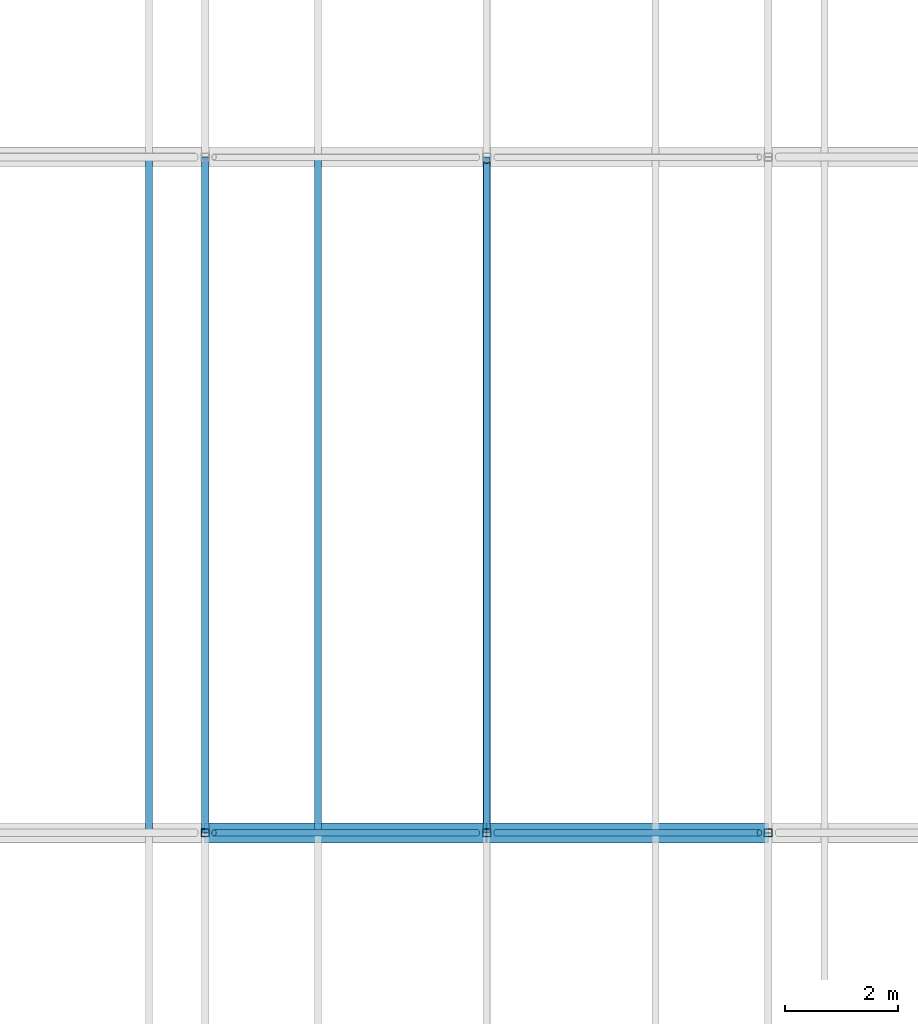
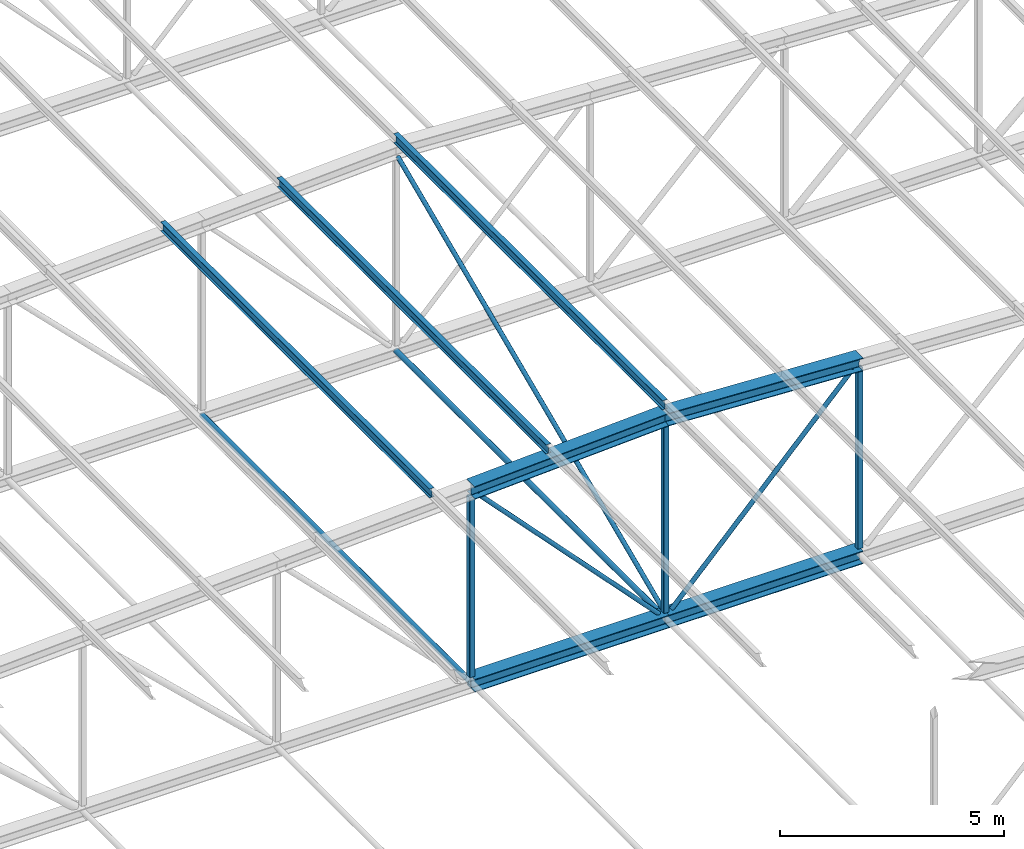
# One storey, part 57 of 156: 15 members.
"""IFC4 building model written with IfcOpenShell, lengths in metres."""

from ifc_helpers import new_model, si_unit, direction, frame, origin, origin_2d, place, context, subcontext, project, spatial, hollow_rectangle, hollow_circle, i_section, extrude, material, material_profile, profile_set, type_object, element, save


model = new_model("IFC4")

# Units and contexts
model_context = context("Model", 3, precision=1e-05, world=origin(), true_north=direction((0.0, 1.0)))
body_context = subcontext(model_context, "Body", "Model", "MODEL_VIEW")
ifc_project = project(units=[si_unit("LENGTHUNIT", "METRE"), si_unit("AREAUNIT", "SQUARE_METRE"), si_unit("VOLUMEUNIT", "CUBIC_METRE"), si_unit("PLANEANGLEUNIT", "RADIAN"), si_unit("MASSUNIT", "GRAM", prefix="KILO")], contexts=[model_context])

# Site, building, storey
site_placement = place(None, origin())
site = spatial("IfcSite", under=ifc_project, at=site_placement, CompositionType="ELEMENT")
building_placement = place(site_placement, origin())
building = spatial("IfcBuilding", under=site, at=building_placement, Name="Lilac Gate Convention Centre", CompositionType="ELEMENT")
storey_placement = place(building_placement, frame((0.0, 0.0, 17.0)))
storey = spatial("IfcBuildingStorey", under=building, at=storey_placement, Name="L03", CompositionType="ELEMENT", Elevation=17.0)

# Members
ifc_material = material(Name="Steel Q355B", Category="steel")
ifc_material_profile_1 = material_profile(ifc_material, hollow_circle(Radius=0.06982421875, WallThickness=0.0048828125, at=origin_2d()), Name="CHS139.7x5")
ifc_profile_set_1 = profile_set([ifc_material_profile_1], Name="Steel Q355B")
member_type_1 = type_object("IfcMemberType", Name="Bottom chord tie CHS139.7x5", PredefinedType="STRUT", material=ifc_profile_set_1)
for number, where, z_axis, x_axis, name in (
    (1, (55.0, 102.009521484375, 0.0), (0.0, 1.0, 0.0), (-1.0, 0.0, 0.0), "ST1 tie bay 7 node 6"),
    (2, (60.0, 102.009521484375, 0.0), (0.0, 1.0, 0.0), (-1.0, 0.0, 0.0), "ST1 tie bay 7 node 7"),
):
    element("IfcMember", number, at=place(storey_placement, frame(where, z_axis=z_axis, x_axis=x_axis)), inside=storey, type_object=member_type_1, Name=name, PredefinedType="STRUT", context=body_context, shape_type="SweptSolid", body=[
        extrude(hollow_circle(Radius=0.06982421875, WallThickness=0.0048828125, at=origin_2d()), origin(), (0.0, 0.0, 1.0), 11.98095703125),
    ])
ifc_material_profile_2 = material_profile(ifc_material, i_section(OverallWidth=0.125, OverallDepth=0.25, WebThickness=0.006103515625, FlangeThickness=0.009033203125, FilletRadius=0.008056640625, at=origin_2d()), Name="HN250x125x6x9")
ifc_profile_set_2 = profile_set([ifc_material_profile_2], Name="Steel Q355B")
member_type_2 = type_object("IfcMemberType", Name="Roof purlin HN250x125x6x9", PredefinedType="PURLIN", material=ifc_profile_set_2)
for number, where, z_axis, x_axis, name in (
    (3, (54.0, 102.0, 5.500244140625), (0.0, 1.0, 0.0), (-1.0, 0.0, 0.0), "PU2 purlin bay 7 line 9"),
    (4, (57.0, 102.0, 5.650146484375), (0.0, 1.0, 0.0), (-1.0, 0.0, 0.0), "PU2 purlin bay 7 line 10"),
    (5, (60.0, 102.0, 5.80029296875), (0.0, 1.0, 0.0), (-1.0, 0.0, 0.0), "PU2 purlin bay 7 line 11"),
):
    element("IfcMember", number, at=place(storey_placement, frame(where, z_axis=z_axis, x_axis=x_axis)), inside=storey, type_object=member_type_2, Name=name, PredefinedType="PURLIN", context=body_context, shape_type="SweptSolid", body=[
        extrude(i_section(OverallWidth=0.125, OverallDepth=0.25, WebThickness=0.006103515625, FlangeThickness=0.009033203125, FilletRadius=0.008056640625, at=origin_2d()), origin(), (0.0, 0.0, 1.0), 12.0),
    ])
ifc_material_profile_3 = material_profile(ifc_material, i_section(OverallWidth=0.35693359375, OverallDepth=0.35009765625, WebThickness=0.01904296875, FlangeThickness=0.01904296875, FilletRadius=0.012939453125, at=origin_2d()), Name="HW350x357x19x19")
ifc_profile_set_3 = profile_set([ifc_material_profile_3], Name="Steel Q355B")
member_type_3 = type_object("IfcMemberType", Name="Truss bottom chord HW350x357x19x19", PredefinedType="CHORD", material=ifc_profile_set_3)
for number, where, z_axis, x_axis, name in (
    (6, (55.0, 102.0, 0.0), (1.0, 0.0, 0.0), (0.0, 1.0, 0.0), "TB3 truss 7 bottom chord 6"),
    (7, (60.0, 102.0, 0.0), (1.0, 0.0, 0.0), (0.0, 1.0, 0.0), "TB3 truss 7 bottom chord 7"),
):
    element("IfcMember", number, at=place(storey_placement, frame(where, z_axis=z_axis, x_axis=x_axis)), inside=storey, type_object=member_type_3, Name=name, PredefinedType="CHORD", context=body_context, shape_type="SweptSolid", body=[
        extrude(i_section(OverallWidth=0.35693359375, OverallDepth=0.35009765625, WebThickness=0.01904296875, FlangeThickness=0.01904296875, FilletRadius=0.012939453125, at=origin_2d()), origin(), (0.0, 0.0, 1.0), 5.0),
    ])
ifc_material_profile_4 = material_profile(ifc_material, hollow_circle(Radius=0.05712890625, WallThickness=0.0048828125, at=origin_2d()), Name="CHS114.3x5")
ifc_profile_set_4 = profile_set([ifc_material_profile_4], Name="Steel Q355B")
member_type_4 = type_object("IfcMemberType", Name="Truss diagonal CHS114.3x5", PredefinedType="BRACE", material=ifc_profile_set_4)
for number, where, z_axis, x_axis, name in (
    (8, (55.156494140625, 102.0, 5.085693359375), (0.6896515765, 0.0, -0.724141355697), (0.0, 1.0, 0.0), "TW6 truss 7 diagonal 6"),
    (9, (64.843505859375, 102.0, 5.085693359375), (-0.6896515765, 0.0, -0.724141355697), (0.0, -1.0, 0.0), "TW6 truss 7 diagonal 7"),
):
    element("IfcMember", number, at=place(storey_placement, frame(where, z_axis=z_axis, x_axis=x_axis)), inside=storey, type_object=member_type_4, Name=name, PredefinedType="BRACE", context=body_context, shape_type="SweptSolid", body=[
        extrude(hollow_circle(Radius=0.05712890625, WallThickness=0.0048828125, at=origin_2d()), origin(), (0.0, 0.0, 1.0), 6.78125),
    ])
ifc_material_profile_5 = material_profile(ifc_material, i_section(OverallWidth=0.35693359375, OverallDepth=0.35009765625, WebThickness=0.01904296875, FlangeThickness=0.01904296875, FilletRadius=0.012939453125, at=origin_2d()), Name="HW350x357x19x19")
ifc_profile_set_5 = profile_set([ifc_material_profile_5], Name="Steel Q355B")
member_type_5 = type_object("IfcMemberType", Name="Truss top chord HW350x357x19x19", PredefinedType="CHORD", material=ifc_profile_set_5)
for number, where, z_axis, x_axis, name in (
    (10, (55.0, 102.0, 5.25), (0.998752338878, 0.0, 0.049937616944), (0.0, 1.0, 0.0), "TT3 truss 7 top chord 6"),
    (11, (60.0, 102.0, 5.5), (0.998752338878, 0.0, -0.049937616944), (0.0, 1.0, 0.0), "TT3 truss 7 top chord 7"),
):
    element("IfcMember", number, at=place(storey_placement, frame(where, z_axis=z_axis, x_axis=x_axis)), inside=storey, type_object=member_type_5, Name=name, PredefinedType="CHORD", context=body_context, shape_type="SweptSolid", body=[
        extrude(i_section(OverallWidth=0.35693359375, OverallDepth=0.35009765625, WebThickness=0.01904296875, FlangeThickness=0.01904296875, FilletRadius=0.012939453125, at=origin_2d()), origin(), (0.0, 0.0, 1.0), 5.00634765625),
    ])
ifc_material_profile_6 = material_profile(ifc_material, hollow_rectangle(XDim=0.139892578125, YDim=0.139892578125, WallThickness=0.0048828125, InnerFilletRadius=0.0048828125, OuterFilletRadius=0.010009765625, at=origin_2d()), Name="SHS140x140x5")
ifc_profile_set_6 = profile_set([ifc_material_profile_6], Name="Steel Q355B")
member_type_6 = type_object("IfcMemberType", Name="Truss vertical SHS140x140x5", PredefinedType="STRUT", material=ifc_profile_set_6)
member_1_placement = place(storey_placement, frame((55.0, 102.0, 0.175048828125), z_axis=(0.0, 0.0, 1.0), x_axis=(1.0, 0.0, 0.0)))
element("IfcMember", 12, at=member_1_placement, inside=storey, type_object=member_type_6, Name="TV4 truss 7 vertical 6", PredefinedType="STRUT", context=body_context, shape_type="SweptSolid", body=[
    extrude(hollow_rectangle(XDim=0.139892578125, YDim=0.139892578125, WallThickness=0.0048828125, InnerFilletRadius=0.0048828125, OuterFilletRadius=0.010009765625, at=origin_2d()), origin(), (0.0, 0.0, 1.0), 4.899658203125),
])
member_2_placement = place(storey_placement, frame((60.0, 102.0, 0.175048828125), z_axis=(0.0, 0.0, 1.0), x_axis=(1.0, 0.0, 0.0)))
element("IfcMember", 13, at=member_2_placement, inside=storey, type_object=member_type_6, Name="TV4 truss 7 vertical 7", PredefinedType="STRUT", context=body_context, shape_type="SweptSolid", body=[
    extrude(hollow_rectangle(XDim=0.139892578125, YDim=0.139892578125, WallThickness=0.0048828125, InnerFilletRadius=0.0048828125, OuterFilletRadius=0.010009765625, at=origin_2d()), origin(), (0.0, 0.0, 1.0), 5.149658203125),
])
member_3_placement = place(storey_placement, frame((65.0, 102.0, 0.175048828125), z_axis=(0.0, 0.0, 1.0), x_axis=(1.0, 0.0, 0.0)))
element("IfcMember", 14, at=member_3_placement, inside=storey, type_object=member_type_6, Name="TV4 truss 7 vertical 8", PredefinedType="STRUT", context=body_context, shape_type="SweptSolid", body=[
    extrude(hollow_rectangle(XDim=0.139892578125, YDim=0.139892578125, WallThickness=0.0048828125, InnerFilletRadius=0.0048828125, OuterFilletRadius=0.010009765625, at=origin_2d()), origin(), (0.0, 0.0, 1.0), 4.899658203125),
])
ifc_material_profile_7 = material_profile(ifc_material, hollow_circle(Radius=0.05712890625, WallThickness=0.006103515625, at=origin_2d()), Name="CHS114.3x6")
ifc_profile_set_7 = profile_set([ifc_material_profile_7], Name="Steel Q355B")
member_type_7 = type_object("IfcMemberType", Name="Vertical bracing CHS114.3x6", PredefinedType="BRACE", material=ifc_profile_set_7)
member_4_placement = place(storey_placement, frame((60.0, 102.08740234375, 0.175048828125), z_axis=(0.0, 0.916835469497, 0.399265227477), x_axis=(-1.0, 0.0, 0.0)))
element("IfcMember", 15, at=member_4_placement, inside=storey, type_object=member_type_7, Name="BR2 vertical bracing bay 7 line 2", PredefinedType="BRACE", context=body_context, shape_type="SweptSolid", body=[
    extrude(hollow_circle(Radius=0.05712890625, WallThickness=0.006103515625, at=origin_2d()), origin(), (0.0, 0.0, 1.0), 12.89794921875),
])

save(model, "model.ifc")
